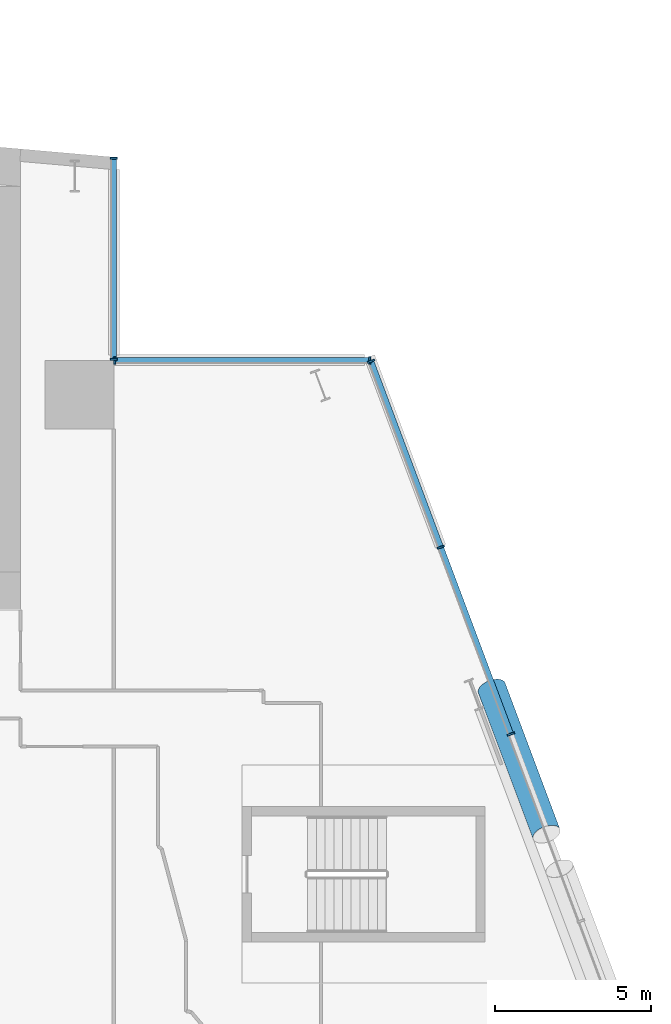
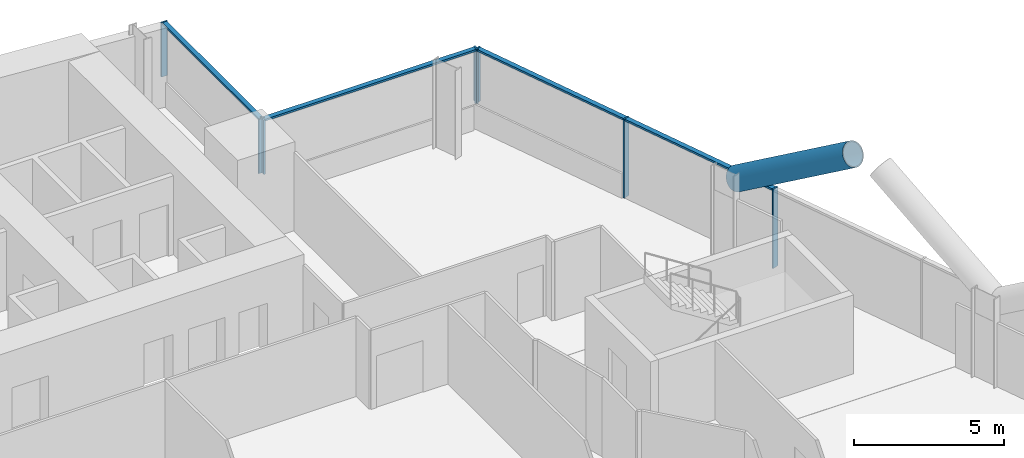
# One storey, part 10 of 27: 12 members, 3 elements without a shape of their own.
"""IFC4 building model written with IfcOpenShell, lengths in metres."""

from ifc_helpers import new_model, si_unit, direction, frame, origin, origin_2d, place, context, subcontext, project, spatial, rectangle, hollow_circle, extrude, material, material_profile, profile_set, type_object, element, aggregate, save


model = new_model("IFC4")

# Units and contexts
model_context = context("Model", 3, precision=1e-05, world=origin(), true_north=direction((0.0, 1.0)))
body_context = subcontext(model_context, "Body", "Model", "MODEL_VIEW")
ifc_project = project(units=[si_unit("LENGTHUNIT", "METRE"), si_unit("AREAUNIT", "SQUARE_METRE"), si_unit("VOLUMEUNIT", "CUBIC_METRE"), si_unit("PLANEANGLEUNIT", "RADIAN"), si_unit("MASSUNIT", "GRAM", prefix="KILO")], contexts=[model_context])

# Site, building, storey
site_placement = place(None, origin())
site = spatial("IfcSite", under=ifc_project, at=site_placement, CompositionType="ELEMENT")
building_placement = place(site_placement, origin())
building = spatial("IfcBuilding", under=site, at=building_placement, Name="Wharfspan Tower", CompositionType="ELEMENT")
storey_placement = place(building_placement, frame((0.0, 0.0, 81.100098)))
storey = spatial("IfcBuildingStorey", under=building, at=storey_placement, Name="L17", CompositionType="ELEMENT", Elevation=81.100098)

# Curtain wall, members
ifc_material_1 = material(Name="Aluminium 6063-T6", Category="aluminium")
curtain_wall_type = type_object("IfcCurtainWallType", Name="CURTAIN WALL PROW AND END", PredefinedType="NOTDEFINED", material=ifc_material_1)
curtain_wall_1_placement = place(storey_placement, origin())
curtain_wall_1 = element("IfcCurtainWall", 1, at=curtain_wall_1_placement, inside=storey, type_object=curtain_wall_type, Name="Curtain wall E", PredefinedType="NOTDEFINED")
ifc_material_profile_1 = material_profile(ifc_material_1, rectangle(XDim=0.23999, YDim=0.060059, at=origin_2d()))
ifc_profile_set_1 = profile_set([ifc_material_profile_1], Name="Aluminium 6063-T6")
member_type_1 = type_object("IfcMemberType", Name="MULLION PROW AND END 60x240", PredefinedType="MULLION", material=ifc_profile_set_1)
member_1_placement = place(storey_placement, frame((80.75, 30.0, 0.0), z_axis=(0.0, 0.0, 1.0), x_axis=(-0.936328, -0.351123, 0.0)))
member_1 = element("IfcMember", 2, at=member_1_placement, type_object=member_type_1, Name="Curtain wall E mullion 6", PredefinedType="MULLION", context=body_context, shape_type="SweptSolid", body=[
    extrude(rectangle(XDim=0.23999, YDim=0.060059, at=origin_2d()), origin(), (0.0, 0.0, 1.0), 3.199951),
])
member_2_placement = place(storey_placement, frame((78.5, 36.0, 0.0), z_axis=(0.0, 0.0, 1.0), x_axis=(-0.936328, -0.351123, 0.0)))
member_2 = element("IfcMember", 3, at=member_2_placement, type_object=member_type_1, Name="Curtain wall E mullion 7", PredefinedType="MULLION", context=body_context, shape_type="SweptSolid", body=[
    extrude(rectangle(XDim=0.23999, YDim=0.060059, at=origin_2d()), origin(), (0.0, 0.0, 1.0), 3.199951),
])
member_3_placement = place(storey_placement, frame((76.260498, 41.971924, 1.0), z_axis=(0.0, 0.0, 1.0), x_axis=(-0.936328, -0.351123, 0.0)))
member_3 = element("IfcMember", 4, at=member_3_placement, type_object=member_type_1, Name="Curtain wall E mullion 8", PredefinedType="MULLION", context=body_context, shape_type="SweptSolid", body=[
    extrude(rectangle(XDim=0.23999, YDim=0.060059, at=origin_2d()), origin(), (0.0, 0.0, 1.0), 2.199951),
])

curtain_wall_2_placement = place(storey_placement, origin())
curtain_wall_2 = element("IfcCurtainWall", 5, at=curtain_wall_2_placement, inside=storey, type_object=curtain_wall_type, Name="Curtain wall NRE-H", PredefinedType="NOTDEFINED")
member_4_placement = place(storey_placement, frame((76.219971, 42.0, 1.0), z_axis=(0.0, 0.0, 1.0), x_axis=(0.0, -1.0, 0.0)))
member_4 = element("IfcMember", 6, at=member_4_placement, type_object=member_type_1, Name="Curtain wall NRE-H mullion 1", PredefinedType="MULLION", context=body_context, shape_type="SweptSolid", body=[
    extrude(rectangle(XDim=0.23999, YDim=0.060059, at=origin_2d()), origin(), (0.0, 0.0, 1.0), 2.199951),
])
member_5_placement = place(storey_placement, frame((68.030029, 42.0, 1.0), z_axis=(0.0, 0.0, 1.0), x_axis=(0.0, -1.0, 0.0)))
member_5 = element("IfcMember", 7, at=member_5_placement, type_object=member_type_1, Name="Curtain wall NRE-H mullion 2", PredefinedType="MULLION", context=body_context, shape_type="SweptSolid", body=[
    extrude(rectangle(XDim=0.23999, YDim=0.060059, at=origin_2d()), origin(), (0.0, 0.0, 1.0), 2.199951),
])

curtain_wall_3_placement = place(storey_placement, origin())
curtain_wall_3 = element("IfcCurtainWall", 8, at=curtain_wall_3_placement, inside=storey, type_object=curtain_wall_type, Name="Curtain wall NRE-V", PredefinedType="NOTDEFINED")
member_6_placement = place(storey_placement, frame((68.0, 42.030029, 1.0), z_axis=(0.0, 0.0, 1.0), x_axis=(-1.0, 0.0, 0.0)))
member_6 = element("IfcMember", 9, at=member_6_placement, type_object=member_type_1, Name="Curtain wall NRE-V mullion 1", PredefinedType="MULLION", context=body_context, shape_type="SweptSolid", body=[
    extrude(rectangle(XDim=0.23999, YDim=0.060059, at=origin_2d()), origin(), (0.0, 0.0, 1.0), 2.199951),
])
member_7_placement = place(storey_placement, frame((68.0, 48.494873, 1.0), z_axis=(0.0, 0.0, 1.0), x_axis=(-1.0, 0.0, 0.0)))
member_7 = element("IfcMember", 10, at=member_7_placement, type_object=member_type_1, Name="Curtain wall NRE-V mullion 2", PredefinedType="MULLION", context=body_context, shape_type="SweptSolid", body=[
    extrude(rectangle(XDim=0.23999, YDim=0.060059, at=origin_2d()), origin(), (0.0, 0.0, 1.0), 2.199951),
])

# Member
ifc_material_2 = material(Name="Steel S460NH", Category="steel")
ifc_material_profile_2 = material_profile(ifc_material_2, hollow_circle(Radius=0.457031, WallThickness=0.040039, at=origin_2d()))
ifc_profile_set_2 = profile_set([ifc_material_profile_2], Name="Steel S460NH")
member_type_2 = type_object("IfcMemberType", Name="Mega brace CHS 914x40", PredefinedType="BRACE", material=ifc_profile_set_2)
member_8_placement = place(storey_placement, frame((80.135986, 31.480713, 2.899902), z_axis=(0.295459, -0.787904, 0.540288), x_axis=(0.936328, 0.351115, -3e-06)))
element("IfcMember", 11, at=member_8_placement, inside=storey, type_object=member_type_2, Name="Mega brace E6 L18 part 3", PredefinedType="BRACE", context=body_context, shape_type="SweptSolid", body=[
    extrude(hollow_circle(Radius=0.457031, WallThickness=0.040039, at=origin_2d()), origin(), (0.0, 0.0, 1.0), 5.955322),
])

ifc_material_profile_3 = material_profile(ifc_material_1, rectangle(XDim=0.179932, YDim=0.080078, at=origin_2d()))
ifc_profile_set_3 = profile_set([ifc_material_profile_3], Name="Aluminium 6063-T6")
member_type_3 = type_object("IfcMemberType", Name="TRANSOM PROW AND END 80x180", PredefinedType="USERDEFINED", material=ifc_profile_set_3)
member_9_placement = place(storey_placement, frame((80.739502, 30.028076, 3.159912), z_axis=(-0.351132, 0.936326, 0.0), x_axis=(-0.936326, -0.351132, 0.0)))
member_9 = element("IfcMember", 12, at=member_9_placement, type_object=member_type_3, Name="Curtain wall E transom 6", ObjectType="TRANSOM", PredefinedType="USERDEFINED", context=body_context, shape_type="SweptSolid", body=[
    extrude(rectangle(XDim=0.179932, YDim=0.080078, at=origin_2d()), origin(), (0.0, 0.0, 1.0), 6.348145),
])

member_10_placement = place(storey_placement, frame((78.489502, 36.028076, 3.159912), z_axis=(-0.351136, 0.936324, 0.0), x_axis=(-0.936324, -0.351136, 0.0)))
member_10 = element("IfcMember", 13, at=member_10_placement, type_object=member_type_3, Name="Curtain wall E transom 7", ObjectType="TRANSOM", PredefinedType="USERDEFINED", context=body_context, shape_type="SweptSolid", body=[
    extrude(rectangle(XDim=0.179932, YDim=0.080078, at=origin_2d()), origin(), (0.0, 0.0, 1.0), 6.318115),
])

aggregate(curtain_wall_1, [member_1, member_2, member_3, member_9, member_10])

member_11_placement = place(storey_placement, frame((76.189941, 42.0, 3.159912), z_axis=(-1.0, 0.0, 0.0), x_axis=(0.0, -1.0, 0.0)))
member_11 = element("IfcMember", 14, at=member_11_placement, type_object=member_type_3, Name="Curtain wall NRE-H transom 1", ObjectType="TRANSOM", PredefinedType="USERDEFINED", context=body_context, shape_type="SweptSolid", body=[
    extrude(rectangle(XDim=0.179932, YDim=0.080078, at=origin_2d()), origin(), (0.0, 0.0, 1.0), 8.129883),
])

aggregate(curtain_wall_2, [member_4, member_5, member_11])

member_12_placement = place(storey_placement, frame((68.0, 42.060059, 3.159912), z_axis=(0.0, 1.0, 0.0), x_axis=(-1.0, 0.0, 0.0)))
member_12 = element("IfcMember", 15, at=member_12_placement, type_object=member_type_3, Name="Curtain wall NRE-V transom 1", ObjectType="TRANSOM", PredefinedType="USERDEFINED", context=body_context, shape_type="SweptSolid", body=[
    extrude(rectangle(XDim=0.179932, YDim=0.080078, at=origin_2d()), origin(), (0.0, 0.0, 1.0), 6.404785),
])

aggregate(curtain_wall_3, [member_6, member_7, member_12])

save(model, "model.ifc")
